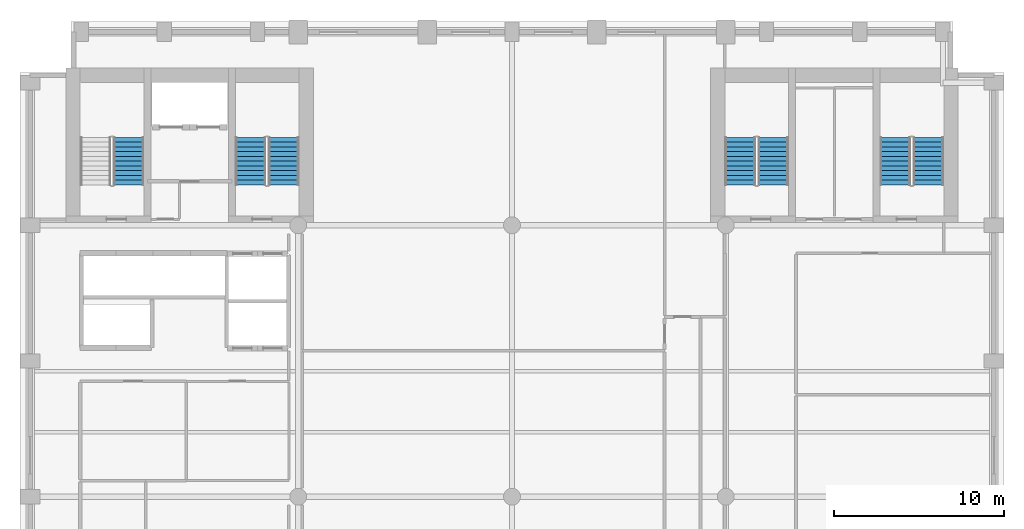
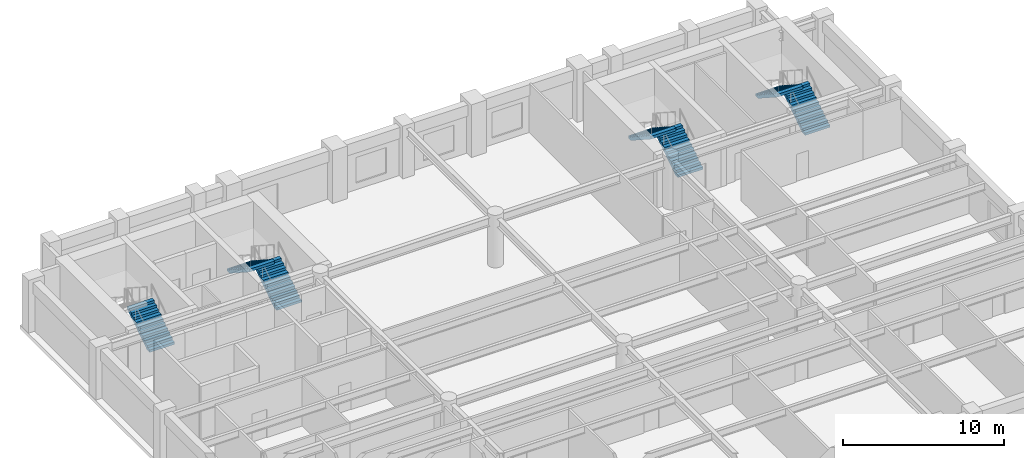
# One storey, part 6 of 8: 7 stair flights, 4 elements without a shape of their own.
"""IFC4 building model written with IfcOpenShell, lengths in metres."""

from ifc_helpers import new_model, si_unit, direction, frame, origin, place, context, subcontext, project, spatial, polyline, outline, extrude, material, type_object, element, aggregate, save


model = new_model("IFC4")

# Units and contexts
model_context = context("Model", 3, precision=1e-05, world=origin(), true_north=direction((0.0, 1.0)))
body_context = subcontext(model_context, "Body", "Model", "MODEL_VIEW")
ifc_project = project(units=[si_unit("LENGTHUNIT", "METRE"), si_unit("AREAUNIT", "SQUARE_METRE"), si_unit("VOLUMEUNIT", "CUBIC_METRE"), si_unit("PLANEANGLEUNIT", "RADIAN"), si_unit("MASSUNIT", "GRAM", prefix="KILO")], contexts=[model_context])

# Site, building, storey
site_placement = place(None, origin())
site = spatial("IfcSite", under=ifc_project, at=site_placement, CompositionType="ELEMENT")
building_placement = place(site_placement, origin())
building = spatial("IfcBuilding", under=site, at=building_placement, Name="Sulina Concourse Tower", CompositionType="ELEMENT")
storey_placement = place(building_placement, frame((0.0, 0.0, 124.60009765625)))
storey = spatial("IfcBuildingStorey", under=building, at=storey_placement, Name="L30", CompositionType="ELEMENT", Elevation=124.60009765625)

# Stair, stair flights
ifc_material_1 = material(Name="Concrete C50/60", Category="concrete")
stair_type_1 = type_object("IfcStairType", Name="Portal & Podium Core Exit Stair 1820mm", PredefinedType="HALF_TURN_STAIR", material=ifc_material_1)
stair_1_placement = place(storey_placement, origin())
stair_1 = element("IfcStair", 1, at=stair_1_placement, inside=storey, type_object=stair_type_1, Name="L30 ST-3", PredefinedType="HALF_TURN_STAIR")
ifc_material_2 = material(Name="Concrete C50/60", Category="concrete")
stair_flight_type_1 = type_object("IfcStairFlightType", Name="Portal & Podium Core Exit Stair 1820mm Flight", PredefinedType="STRAIGHT", material=ifc_material_2)
stair_flight_1_placement = place(storey_placement, frame((44.405029296875, 36.375, 0.0), z_axis=(0.0, 0.0, 1.0), x_axis=(0.0, 1.0, 0.0)))
stair_flight_1 = element("IfcStairFlight", 2, at=stair_flight_1_placement, type_object=stair_flight_type_1, Name="ST-3 flight 1", NumberOfRisers=11, NumberOfTreads=10, PredefinedType="STRAIGHT", RiserHeight=0.181818182, TreadLength=0.28, context=body_context, shape_type="SweptSolid", body=[
    extrude(outline(polyline([(0.0, 0.0), (0.0, 0.181884765625), (0.280029296875, 0.181884765625), (0.280029296875, 0.363525390625), (0.56005859375, 0.363525390625), (0.56005859375, 0.54541015625), (0.840087890625, 0.54541015625), (0.840087890625, 0.727294921875), (1.1201171875, 0.727294921875), (1.1201171875, 0.9091796875), (1.39990234375, 0.9091796875), (1.39990234375, 1.0908203125), (1.679931640625, 1.0908203125), (1.679931640625, 1.272705078125), (1.9599609375, 1.272705078125), (1.9599609375, 1.45458984375), (2.239990234375, 1.45458984375), (2.239990234375, 1.636474609375), (2.52001953125, 1.636474609375), (2.52001953125, 1.818115234375), (2.800048828125, 1.818115234375), (2.800048828125, 2.0), (2.800048828125, 1.603759765625), (0.330322265625, 0.0), (0.0, 0.0)])), frame((0.0, 0.89990234375, 0.0), z_axis=(0.0, -1.0, 0.0), x_axis=(1.0, 0.0, 0.0)), (0.0, 0.0, 1.0), 1.800048828125),
])
stair_flight_2_placement = place(storey_placement, frame((42.455078125, 39.175048828125, 2.0), z_axis=(0.0, 0.0, 1.0), x_axis=(0.0, -1.0, 0.0)))
stair_flight_2 = element("IfcStairFlight", 3, at=stair_flight_2_placement, type_object=stair_flight_type_1, Name="ST-3 flight 2", NumberOfRisers=11, NumberOfTreads=10, PredefinedType="STRAIGHT", RiserHeight=0.181818182, TreadLength=0.28, context=body_context, shape_type="SweptSolid", body=[
    extrude(outline(polyline([(0.0, 0.0), (0.0, 0.181884765625), (0.280029296875, 0.181884765625), (0.280029296875, 0.363525390625), (0.56005859375, 0.363525390625), (0.56005859375, 0.54541015625), (0.840087890625, 0.54541015625), (0.840087890625, 0.727294921875), (1.1201171875, 0.727294921875), (1.1201171875, 0.9091796875), (1.39990234375, 0.9091796875), (1.39990234375, 1.0908203125), (1.679931640625, 1.0908203125), (1.679931640625, 1.272705078125), (1.9599609375, 1.272705078125), (1.9599609375, 1.45458984375), (2.239990234375, 1.45458984375), (2.239990234375, 1.636474609375), (2.52001953125, 1.636474609375), (2.52001953125, 1.818115234375), (2.800048828125, 1.818115234375), (2.800048828125, 2.0), (2.800048828125, 1.603759765625), (0.330322265625, 0.0), (0.0, 0.0)])), frame((0.0, 0.89990234375, 0.0), z_axis=(0.0, -1.0, 0.0), x_axis=(1.0, 0.0, 0.0)), (0.0, 0.0, 1.0), 1.800048828125),
])
aggregate(stair_1, [stair_flight_1, stair_flight_2])

stair_2_placement = place(storey_placement, origin())
stair_2 = element("IfcStair", 4, at=stair_2_placement, inside=storey, type_object=stair_type_1, Name="L30 ST-4", PredefinedType="HALF_TURN_STAIR")
stair_flight_3_placement = place(storey_placement, frame((53.544921875, 36.375, 0.0), z_axis=(0.0, 0.0, 1.0), x_axis=(0.0, 1.0, 0.0)))
stair_flight_3 = element("IfcStairFlight", 5, at=stair_flight_3_placement, type_object=stair_flight_type_1, Name="ST-4 flight 1", NumberOfRisers=11, NumberOfTreads=10, PredefinedType="STRAIGHT", RiserHeight=0.181818182, TreadLength=0.28, context=body_context, shape_type="SweptSolid", body=[
    extrude(outline(polyline([(0.0, 0.0), (0.0, 0.181884765625), (0.280029296875, 0.181884765625), (0.280029296875, 0.363525390625), (0.56005859375, 0.363525390625), (0.56005859375, 0.54541015625), (0.840087890625, 0.54541015625), (0.840087890625, 0.727294921875), (1.1201171875, 0.727294921875), (1.1201171875, 0.9091796875), (1.39990234375, 0.9091796875), (1.39990234375, 1.0908203125), (1.679931640625, 1.0908203125), (1.679931640625, 1.272705078125), (1.9599609375, 1.272705078125), (1.9599609375, 1.45458984375), (2.239990234375, 1.45458984375), (2.239990234375, 1.636474609375), (2.52001953125, 1.636474609375), (2.52001953125, 1.818115234375), (2.800048828125, 1.818115234375), (2.800048828125, 2.0), (2.800048828125, 1.603759765625), (0.330322265625, 0.0), (0.0, 0.0)])), frame((0.0, 0.89990234375, 0.0), z_axis=(0.0, -1.0, 0.0), x_axis=(1.0, 0.0, 0.0)), (0.0, 0.0, 1.0), 1.800048828125),
])
stair_flight_4_placement = place(storey_placement, frame((51.594970703125, 39.175048828125, 2.0), z_axis=(0.0, 0.0, 1.0), x_axis=(0.0, -1.0, 0.0)))
stair_flight_4 = element("IfcStairFlight", 6, at=stair_flight_4_placement, type_object=stair_flight_type_1, Name="ST-4 flight 2", NumberOfRisers=11, NumberOfTreads=10, PredefinedType="STRAIGHT", RiserHeight=0.181818182, TreadLength=0.28, context=body_context, shape_type="SweptSolid", body=[
    extrude(outline(polyline([(0.0, 0.0), (0.0, 0.181884765625), (0.280029296875, 0.181884765625), (0.280029296875, 0.363525390625), (0.56005859375, 0.363525390625), (0.56005859375, 0.54541015625), (0.840087890625, 0.54541015625), (0.840087890625, 0.727294921875), (1.1201171875, 0.727294921875), (1.1201171875, 0.9091796875), (1.39990234375, 0.9091796875), (1.39990234375, 1.0908203125), (1.679931640625, 1.0908203125), (1.679931640625, 1.272705078125), (1.9599609375, 1.272705078125), (1.9599609375, 1.45458984375), (2.239990234375, 1.45458984375), (2.239990234375, 1.636474609375), (2.52001953125, 1.636474609375), (2.52001953125, 1.818115234375), (2.800048828125, 1.818115234375), (2.800048828125, 2.0), (2.800048828125, 1.603759765625), (0.330322265625, 0.0), (0.0, 0.0)])), frame((0.0, 0.89990234375, 0.0), z_axis=(0.0, -1.0, 0.0), x_axis=(1.0, 0.0, 0.0)), (0.0, 0.0, 1.0), 1.800048828125),
])
aggregate(stair_2, [stair_flight_3, stair_flight_4])

# Stair, stair flight
ifc_material_3 = material(Name="Concrete C50/60", Category="concrete")
stair_type_2 = type_object("IfcStairType", Name="Primary Core Dog-Leg Exit Stair 1800mm", PredefinedType="HALF_TURN_STAIR", material=ifc_material_3)
stair_3_placement = place(storey_placement, origin())
stair_3 = element("IfcStair", 7, at=stair_3_placement, inside=storey, type_object=stair_type_2, Name="L30 ST-1", PredefinedType="HALF_TURN_STAIR")
ifc_material_4 = material(Name="Concrete C50/60", Category="concrete")
stair_flight_type_2 = type_object("IfcStairFlightType", Name="Primary Core Dog-Leg Exit Stair 1800mm Flight", PredefinedType="STRAIGHT", material=ifc_material_4)
stair_flight_5_placement = place(storey_placement, frame((6.405029296875, 36.375, 0.0), z_axis=(0.0, 0.0, 1.0), x_axis=(0.0, 1.0, 0.0)))
stair_flight_5 = element("IfcStairFlight", 8, at=stair_flight_5_placement, type_object=stair_flight_type_2, Name="ST-1 flight 1", NumberOfRisers=11, NumberOfTreads=10, PredefinedType="STRAIGHT", RiserHeight=0.181818182, TreadLength=0.28, context=body_context, shape_type="SweptSolid", body=[
    extrude(outline(polyline([(0.0, 0.0), (0.0, 0.181884765625), (0.280029296875, 0.181884765625), (0.280029296875, 0.363525390625), (0.56005859375, 0.363525390625), (0.56005859375, 0.54541015625), (0.840087890625, 0.54541015625), (0.840087890625, 0.727294921875), (1.1201171875, 0.727294921875), (1.1201171875, 0.9091796875), (1.39990234375, 0.9091796875), (1.39990234375, 1.0908203125), (1.679931640625, 1.0908203125), (1.679931640625, 1.272705078125), (1.9599609375, 1.272705078125), (1.9599609375, 1.45458984375), (2.239990234375, 1.45458984375), (2.239990234375, 1.636474609375), (2.52001953125, 1.636474609375), (2.52001953125, 1.818115234375), (2.800048828125, 1.818115234375), (2.800048828125, 2.0), (2.800048828125, 1.603759765625), (0.330322265625, 0.0), (0.0, 0.0)])), frame((0.0, 0.89990234375, 0.0), z_axis=(0.0, -1.0, 0.0), x_axis=(1.0, 0.0, 0.0)), (0.0, 0.0, 1.0), 1.800048828125),
])
aggregate(stair_3, [stair_flight_5])

# Stair, stair flights
stair_4_placement = place(storey_placement, origin())
stair_4 = element("IfcStair", 9, at=stair_4_placement, inside=storey, type_object=stair_type_2, Name="L30 ST-2", PredefinedType="HALF_TURN_STAIR")
stair_flight_6_placement = place(storey_placement, frame((15.544921875, 36.375, 0.0), z_axis=(0.0, 0.0, 1.0), x_axis=(0.0, 1.0, 0.0)))
stair_flight_6 = element("IfcStairFlight", 10, at=stair_flight_6_placement, type_object=stair_flight_type_2, Name="ST-2 flight 1", NumberOfRisers=11, NumberOfTreads=10, PredefinedType="STRAIGHT", RiserHeight=0.181818182, TreadLength=0.28, context=body_context, shape_type="SweptSolid", body=[
    extrude(outline(polyline([(0.0, 0.0), (0.0, 0.181884765625), (0.280029296875, 0.181884765625), (0.280029296875, 0.363525390625), (0.56005859375, 0.363525390625), (0.56005859375, 0.54541015625), (0.840087890625, 0.54541015625), (0.840087890625, 0.727294921875), (1.1201171875, 0.727294921875), (1.1201171875, 0.9091796875), (1.39990234375, 0.9091796875), (1.39990234375, 1.0908203125), (1.679931640625, 1.0908203125), (1.679931640625, 1.272705078125), (1.9599609375, 1.272705078125), (1.9599609375, 1.45458984375), (2.239990234375, 1.45458984375), (2.239990234375, 1.636474609375), (2.52001953125, 1.636474609375), (2.52001953125, 1.818115234375), (2.800048828125, 1.818115234375), (2.800048828125, 2.0), (2.800048828125, 1.603759765625), (0.330322265625, 0.0), (0.0, 0.0)])), frame((0.0, 0.89990234375, 0.0), z_axis=(0.0, -1.0, 0.0), x_axis=(1.0, 0.0, 0.0)), (0.0, 0.0, 1.0), 1.800048828125),
])
stair_flight_7_placement = place(storey_placement, frame((13.594970703125, 39.175048828125, 2.0), z_axis=(0.0, 0.0, 1.0), x_axis=(0.0, -1.0, 0.0)))
stair_flight_7 = element("IfcStairFlight", 11, at=stair_flight_7_placement, type_object=stair_flight_type_2, Name="ST-2 flight 2", NumberOfRisers=11, NumberOfTreads=10, PredefinedType="STRAIGHT", RiserHeight=0.181818182, TreadLength=0.28, context=body_context, shape_type="SweptSolid", body=[
    extrude(outline(polyline([(0.0, 0.0), (0.0, 0.181884765625), (0.280029296875, 0.181884765625), (0.280029296875, 0.363525390625), (0.56005859375, 0.363525390625), (0.56005859375, 0.54541015625), (0.840087890625, 0.54541015625), (0.840087890625, 0.727294921875), (1.1201171875, 0.727294921875), (1.1201171875, 0.9091796875), (1.39990234375, 0.9091796875), (1.39990234375, 1.0908203125), (1.679931640625, 1.0908203125), (1.679931640625, 1.272705078125), (1.9599609375, 1.272705078125), (1.9599609375, 1.45458984375), (2.239990234375, 1.45458984375), (2.239990234375, 1.636474609375), (2.52001953125, 1.636474609375), (2.52001953125, 1.818115234375), (2.800048828125, 1.818115234375), (2.800048828125, 2.0), (2.800048828125, 1.603759765625), (0.330322265625, 0.0), (0.0, 0.0)])), frame((0.0, 0.89990234375, 0.0), z_axis=(0.0, -1.0, 0.0), x_axis=(1.0, 0.0, 0.0)), (0.0, 0.0, 1.0), 1.800048828125),
])
aggregate(stair_4, [stair_flight_6, stair_flight_7])

save(model, "model.ifc")
